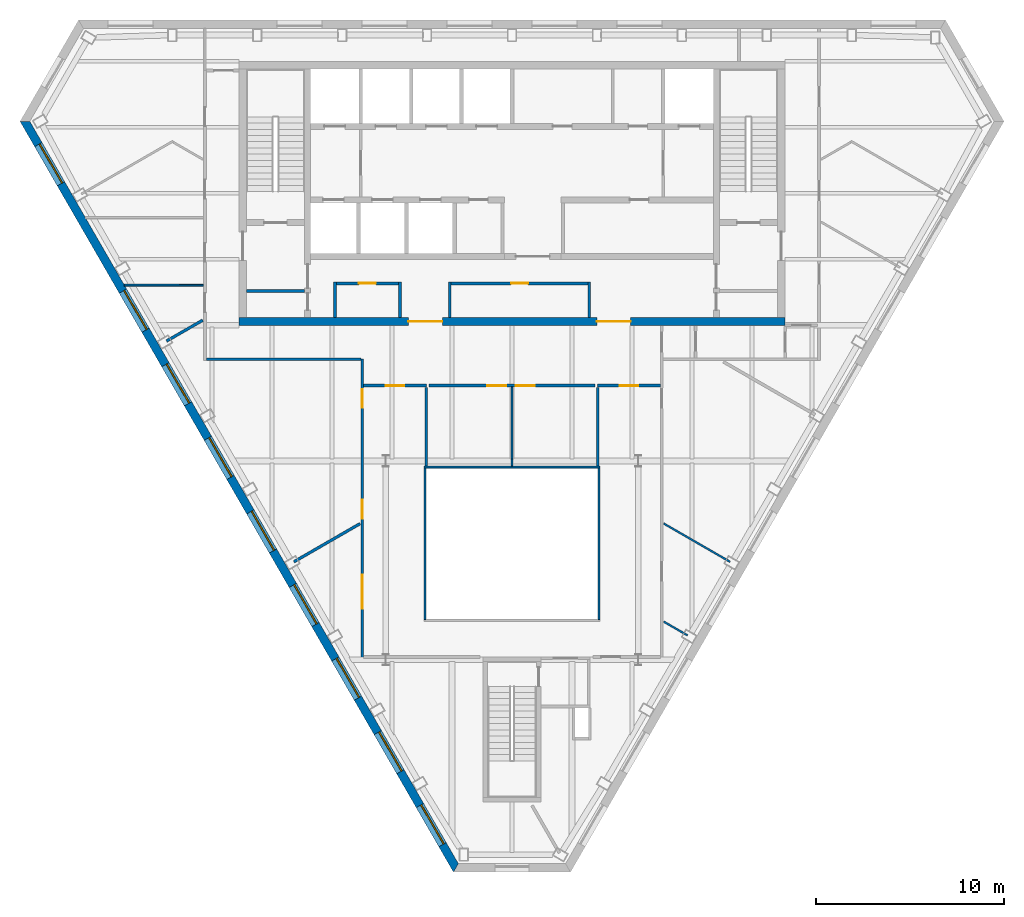
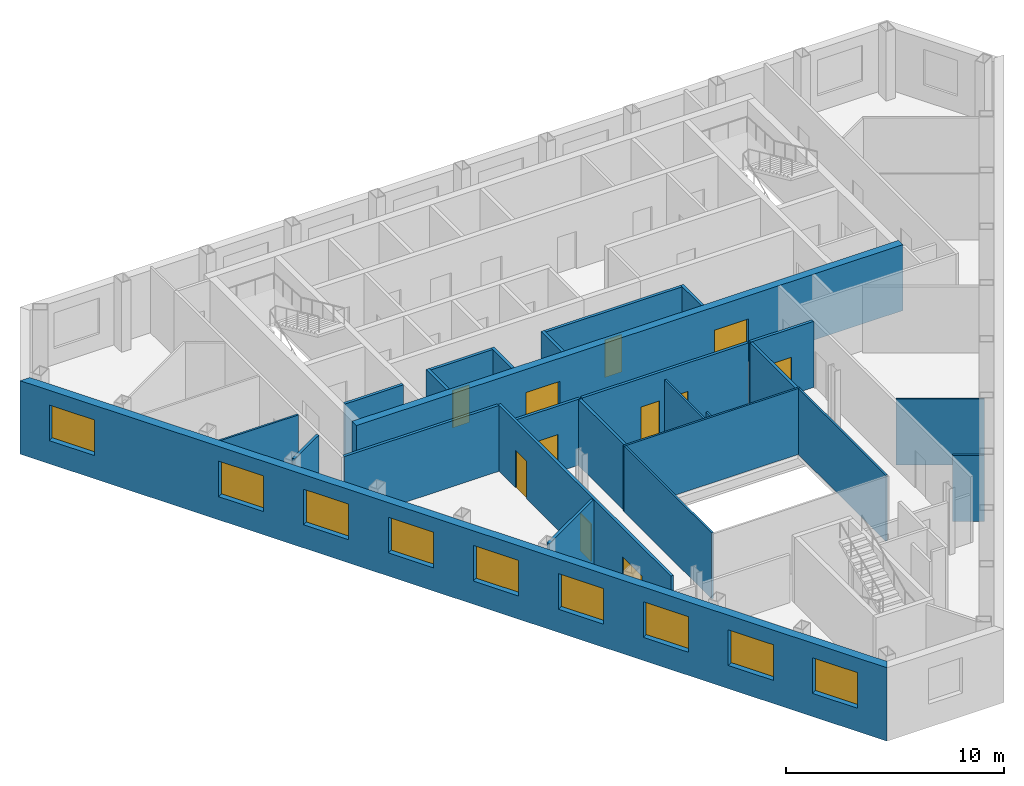
# One storey, part 4 of 10: 26 walls, 11 doors, 9 windows, 20 openings.
"""IFC4 building model written with IfcOpenShell, lengths in metres."""

from ifc_helpers import new_model, si_unit, direction, frame, frame_2d, origin, place, context, subcontext, project, spatial, polyline, rectangle, outline, extrude, material, layer, layer_set, type_object, element, fill, save


model = new_model("IFC4")

# Units and contexts
model_context = context("Model", 3, precision=1e-05, world=origin(), true_north=direction((0.0, 1.0)))
body_context = subcontext(model_context, "Body", "Model", "MODEL_VIEW")
ifc_project = project(units=[si_unit("LENGTHUNIT", "METRE"), si_unit("AREAUNIT", "SQUARE_METRE"), si_unit("VOLUMEUNIT", "CUBIC_METRE"), si_unit("PLANEANGLEUNIT", "RADIAN"), si_unit("MASSUNIT", "GRAM", prefix="KILO")], contexts=[model_context])

# Site, building, storey
site_placement = place(None, origin())
site = spatial("IfcSite", under=ifc_project, at=site_placement, CompositionType="ELEMENT")
building_placement = place(site_placement, origin())
building = spatial("IfcBuilding", under=site, at=building_placement, Name="Njiva Tower", CompositionType="ELEMENT")
storey_placement = place(building_placement, frame((0.0, 0.0, 253.2)))
storey = spatial("IfcBuildingStorey", under=building, at=storey_placement, Name="L57", CompositionType="ELEMENT", Elevation=253.2)

# Walls
ifc_material_1 = material(Name="Blockwork", Category="masonry")
ifc_layer_1 = layer(ifc_material_1, 0.15)
ifc_layer_set_1 = layer_set([ifc_layer_1], Name="Blockwork")
wall_type_1 = type_object("IfcWallType", Name="WT1 Compartment partition 150", PredefinedType="PARTITIONING", material=ifc_layer_set_1)
wall_1_placement = place(storey_placement, frame((-14.1, 5.825, 0.0), z_axis=(0.0, 0.0, 1.0), x_axis=(1.0, 0.0, 0.0)))
element("IfcWall", 1, at=wall_1_placement, inside=storey, type_object=wall_type_1, Name="Room wall A", PredefinedType="PARTITIONING", context=body_context, shape_type="SweptSolid", body=[
    extrude(rectangle(XDim=3.1, YDim=0.15, at=frame_2d((1.55, 0.0))), origin(), (0.0, 0.0, 1.0), 3.7),
])
for number, where, z_axis, x_axis, name in (
    (2, (-9.4, 4.4, 0.0), (0.0, 0.0, 1.0), (0.0, 1.0, 0.0), "First aid room wall west"),
    (3, (-5.95, 4.4, 0.0), (0.0, 0.0, 1.0), (0.0, 1.0, 0.0), "First aid room wall east"),
):
    element("IfcWall", number, at=place(storey_placement, frame(where, z_axis=z_axis, x_axis=x_axis)), inside=storey, type_object=wall_type_1, Name=name, PredefinedType="PARTITIONING", context=body_context, shape_type="SweptSolid", body=[
        extrude(rectangle(XDim=1.895, YDim=0.15, at=frame_2d((0.9475, 0.0))), origin(), (0.0, 0.0, 1.0), 3.7),
    ])

# Wall, opening, door
wall_2_placement = place(storey_placement, frame((-9.325, 6.22, 0.0), z_axis=(0.0, 0.0, 1.0), x_axis=(1.0, 0.0, 0.0)))
wall_2 = element("IfcWall", 4, at=wall_2_placement, inside=storey, type_object=wall_type_1, Name="First aid room wall north", PredefinedType="PARTITIONING", context=body_context, shape_type="SweptSolid", body=[
    extrude(rectangle(XDim=3.3, YDim=0.15, at=frame_2d((1.65, 0.0))), origin(), (0.0, 0.0, 1.0), 3.7),
])
opening_1_placement = place(wall_2_placement, frame((1.2, 0.0, 0.0)))
opening_1 = element("IfcOpeningElement", 5, at=opening_1_placement, cuts=wall_2, Name="Opening S18-D923", PredefinedType="OPENING", context=body_context, shape_type="SweptSolid", body=[
    extrude(rectangle(XDim=0.9, YDim=2.1, at=frame_2d((0.45, 1.05))), frame((0.0, 0.085, 0.0), z_axis=(0.0, -1.0, 0.0), x_axis=(1.0, 0.0, 0.0)), (0.0, 0.0, 1.0), 0.17),
])
ifc_material_2 = material(Name="Steel fire door, painted", Category="steel")
door_type_1 = type_object("IfcDoorType", Name="D6 Fire-rated door 900x2100", OperationType="SINGLE_SWING_LEFT", PredefinedType="DOOR", material=ifc_material_2)
door_1_placement = place(opening_1_placement, origin())
door_1 = element("IfcDoor", 6, at=door_1_placement, inside=storey, type_object=door_type_1, Name="First aid room door", OperationType="SINGLE_SWING_RIGHT", OverallHeight=2.1, OverallWidth=0.9, PredefinedType="DOOR", context=body_context, shape_type="SweptSolid", body=[
    extrude(rectangle(XDim=0.9, YDim=2.1, at=frame_2d((0.45, 1.05))), frame((0.0, 0.025, 0.0), z_axis=(0.0, -1.0, 0.0), x_axis=(1.0, 0.0, 0.0)), (0.0, 0.0, 1.0), 0.05),
])
fill(opening_1, door_1)

# Walls
for number, where, z_axis, x_axis, name in (
    (7, (-3.3, 4.4, 0.0), (0.0, 0.0, 1.0), (0.0, 1.0, 0.0), "Parcel room wall west"),
    (8, (4.1, 4.4, 0.0), (0.0, 0.0, 1.0), (0.0, 1.0, 0.0), "Parcel room wall east"),
):
    element("IfcWall", number, at=place(storey_placement, frame(where, z_axis=z_axis, x_axis=x_axis)), inside=storey, type_object=wall_type_1, Name=name, PredefinedType="PARTITIONING", context=body_context, shape_type="SweptSolid", body=[
        extrude(rectangle(XDim=1.895, YDim=0.15, at=frame_2d((0.9475, 0.0))), origin(), (0.0, 0.0, 1.0), 3.7),
    ])

# Wall, opening, door
wall_3_placement = place(storey_placement, frame((-3.225, 6.22, 0.0), z_axis=(0.0, 0.0, 1.0), x_axis=(1.0, 0.0, 0.0)))
wall_3 = element("IfcWall", 9, at=wall_3_placement, inside=storey, type_object=wall_type_1, Name="Parcel room wall north", PredefinedType="PARTITIONING", context=body_context, shape_type="SweptSolid", body=[
    extrude(rectangle(XDim=7.25, YDim=0.15, at=frame_2d((3.625, 0.0))), origin(), (0.0, 0.0, 1.0), 3.7),
])
opening_2_placement = place(wall_3_placement, frame((3.175, 0.0, 0.0)))
opening_2 = element("IfcOpeningElement", 10, at=opening_2_placement, cuts=wall_3, Name="Opening S18-D924", PredefinedType="OPENING", context=body_context, shape_type="SweptSolid", body=[
    extrude(rectangle(XDim=0.9, YDim=2.1, at=frame_2d((0.45, 1.05))), frame((0.0, 0.085, 0.0), z_axis=(0.0, -1.0, 0.0), x_axis=(1.0, 0.0, 0.0)), (0.0, 0.0, 1.0), 0.17),
])
door_2_placement = place(opening_2_placement, origin())
door_2 = element("IfcDoor", 11, at=door_2_placement, inside=storey, type_object=door_type_1, Name="Parcel room door", OperationType="SINGLE_SWING_LEFT", OverallHeight=2.1, OverallWidth=0.9, PredefinedType="DOOR", context=body_context, shape_type="SweptSolid", body=[
    extrude(rectangle(XDim=0.9, YDim=2.1, at=frame_2d((0.45, 1.05))), frame((0.0, 0.025, 0.0), z_axis=(0.0, -1.0, 0.0), x_axis=(1.0, 0.0, 0.0)), (0.0, 0.0, 1.0), 0.05),
])
fill(opening_2, door_2)

# Wall, openings, doors
ifc_material_3 = material(Name="Concrete C60/75", Category="concrete")
ifc_layer_2 = layer(ifc_material_3, 0.4)
ifc_layer_set_2 = layer_set([ifc_layer_2], Name="Concrete C60/75")
wall_type_2 = type_object("IfcWallType", Name="WT11 Core wall 400", PredefinedType="SHEAR", material=ifc_layer_set_2)
wall_4_placement = place(storey_placement, frame((-14.5, 4.2, 0.0), z_axis=(0.0, 0.0, 1.0), x_axis=(1.0, 0.0, 0.0)))
wall_4 = element("IfcWall", 12, at=wall_4_placement, inside=storey, type_object=wall_type_2, Name="Core wall south", PredefinedType="SHEAR", context=body_context, shape_type="SweptSolid", body=[
    extrude(rectangle(XDim=29.0, YDim=0.4, at=frame_2d((14.5, 0.0))), origin(), (0.0, 0.0, 1.0), 3.7),
])
opening_3_placement = place(wall_4_placement, frame((9.0, 0.0, 0.0)))
opening_3 = element("IfcOpeningElement", 13, at=opening_3_placement, cuts=wall_4, Name="Opening S18-D926", PredefinedType="OPENING", context=body_context, shape_type="SweptSolid", body=[
    extrude(rectangle(XDim=1.8, YDim=2.4, at=frame_2d((0.9, 1.2))), frame((0.0, 0.21, 0.0), z_axis=(0.0, -1.0, 0.0), x_axis=(1.0, 0.0, 0.0)), (0.0, 0.0, 1.0), 0.42),
])
opening_4_placement = place(wall_4_placement, frame((19.0, 0.0, 0.0)))
opening_4 = element("IfcOpeningElement", 14, at=opening_4_placement, cuts=wall_4, Name="Opening S18-D927", PredefinedType="OPENING", context=body_context, shape_type="SweptSolid", body=[
    extrude(rectangle(XDim=1.8, YDim=2.4, at=frame_2d((0.9, 1.2))), frame((0.0, 0.21, 0.0), z_axis=(0.0, -1.0, 0.0), x_axis=(1.0, 0.0, 0.0)), (0.0, 0.0, 1.0), 0.42),
])
ifc_material_4 = material(Name="Steel and glass door", Category="steel")
door_type_2 = type_object("IfcDoorType", Name="D3 Core entrance door 1800x2400", OperationType="DOUBLE_DOOR_SINGLE_SWING", PredefinedType="DOOR", material=ifc_material_4)
door_3_placement = place(opening_3_placement, origin())
door_3 = element("IfcDoor", 15, at=door_3_placement, inside=storey, type_object=door_type_2, Name="Core entrance door", OperationType="DOUBLE_DOOR_SINGLE_SWING", OverallHeight=2.4, OverallWidth=1.8, PredefinedType="DOOR", context=body_context, shape_type="SweptSolid", body=[
    extrude(rectangle(XDim=1.8, YDim=2.4, at=frame_2d((0.9, 1.2))), frame((0.0, 0.025, 0.0), z_axis=(0.0, -1.0, 0.0), x_axis=(1.0, 0.0, 0.0)), (0.0, 0.0, 1.0), 0.05),
])
fill(opening_3, door_3)
door_4_placement = place(opening_4_placement, origin())
door_4 = element("IfcDoor", 16, at=door_4_placement, inside=storey, type_object=door_type_2, Name="Core entrance door", OperationType="DOUBLE_DOOR_SINGLE_SWING", OverallHeight=2.4, OverallWidth=1.8, PredefinedType="DOOR", context=body_context, shape_type="SweptSolid", body=[
    extrude(rectangle(XDim=1.8, YDim=2.4, at=frame_2d((0.9, 1.2))), frame((0.0, 0.025, 0.0), z_axis=(0.0, -1.0, 0.0), x_axis=(1.0, 0.0, 0.0)), (0.0, 0.0, 1.0), 0.05),
])
fill(opening_4, door_4)

# Walls
ifc_material_5 = material(Name="Gypsum board on steel studs", Category="gypsum")
ifc_layer_3 = layer(ifc_material_5, 0.1)
ifc_layer_set_3 = layer_set([ifc_layer_3], Name="Gypsum board on steel studs")
wall_type_3 = type_object("IfcWallType", Name="WT20 Gypsum partition 100", PredefinedType="PARTITIONING", material=ifc_layer_set_3)
wall_5_placement = place(storey_placement, frame((-20.572, 6.132, 0.0), z_axis=(0.0, 0.0, 1.0), x_axis=(0.999998183352, -0.001906119959, 0.0)))
element("IfcWall", 17, at=wall_5_placement, inside=storey, type_object=wall_type_3, Name="Partition S18-P003", PredefinedType="PARTITIONING", context=body_context, shape_type="SweptSolid", body=[
    extrude(rectangle(XDim=4.197, YDim=0.1, at=frame_2d((2.0985, 0.0))), origin(), (0.0, 0.0, 1.0), 3.7),
])
wall_6_placement = place(storey_placement, frame((-0.001, 0.725, 0.0), z_axis=(0.0, 0.0, 1.0), x_axis=(0.000235294111, -0.999999972318, 0.0)))
element("IfcWall", 18, at=wall_6_placement, inside=storey, type_object=wall_type_3, Name="Partition S18-P016", PredefinedType="PARTITIONING", context=body_context, shape_type="SweptSolid", body=[
    extrude(rectangle(XDim=3.825, YDim=0.1, at=frame_2d((1.9125, 0.0))), origin(), (0.0, 0.0, 1.0), 3.2),
])
wall_7_placement = place(storey_placement, frame((-0.0001, -3.1, 0.0), z_axis=(0.0, 0.0, 1.0), x_axis=(0.000263157886, -0.999999965374, 0.0)))
element("IfcWall", 19, at=wall_7_placement, inside=storey, type_object=wall_type_3, Name="Partition S18-P016A", PredefinedType="PARTITIONING", context=body_context, shape_type="SweptSolid", body=[
    extrude(rectangle(XDim=0.38, YDim=0.1, at=frame_2d((0.19, 0.0))), origin(), (0.0, 0.0, 1.0), 3.7),
])
wall_8_placement = place(storey_placement, frame((8.05, -6.52, 0.0), z_axis=(0.0, 0.0, 1.0), x_axis=(0.865980959039, -0.500076972657, 0.0)))
element("IfcWall", 20, at=wall_8_placement, inside=storey, type_object=wall_type_3, Name="Partition S18-P023", PredefinedType="PARTITIONING", context=body_context, shape_type="SweptSolid", body=[
    extrude(rectangle(XDim=4.0694, YDim=0.1, at=frame_2d((2.0347, 0.0))), origin(), (0.0, 0.0, 1.0), 3.7),
])
wall_9_placement = place(storey_placement, frame((8.05, -11.727, 0.0), z_axis=(0.0, 0.0, 1.0), x_axis=(0.865924183809, -0.500175277173, 0.0)))
element("IfcWall", 21, at=wall_9_placement, inside=storey, type_object=wall_type_3, Name="Partition S18-P024", PredefinedType="PARTITIONING", context=body_context, shape_type="SweptSolid", body=[
    extrude(rectangle(XDim=1.4655, YDim=0.1, at=frame_2d((0.7328, 0.0))), origin(), (0.0, 0.0, 1.0), 3.7),
])
ifc_layer_4 = layer(ifc_material_5, 0.15)
ifc_layer_set_4 = layer_set([ifc_layer_4], Name="Gypsum board on steel studs")
wall_type_4 = type_object("IfcWallType", Name="WT21 Compartment wall 150", PredefinedType="PARTITIONING", material=ifc_layer_set_4)
wall_10_placement = place(storey_placement, frame((-18.337, 3.159, 0.0), z_axis=(0.0, 0.0, 1.0), x_axis=(0.866297945504, 0.499527646498, 0.0)))
element("IfcWall", 22, at=wall_10_placement, inside=storey, type_object=wall_type_4, Name="Partition S18-P004", PredefinedType="PARTITIONING", context=body_context, shape_type="SweptSolid", body=[
    extrude(rectangle(XDim=2.2221, YDim=0.15, at=frame_2d((1.1111, 0.0))), origin(), (0.0, 0.0, 1.0), 3.7),
])
wall_11_placement = place(storey_placement, frame((-16.225, 2.2, 0.0), z_axis=(0.0, 0.0, 1.0), x_axis=(1.0, 0.0, 0.0)))
element("IfcWall", 23, at=wall_11_placement, inside=storey, type_object=wall_type_4, Name="Partition S18-P008", PredefinedType="PARTITIONING", context=body_context, shape_type="SweptSolid", body=[
    extrude(rectangle(XDim=8.2, YDim=0.15, at=frame_2d((4.1, 0.0))), origin(), (0.0, 0.0, 1.0), 3.7),
])
wall_12_placement = place(storey_placement, frame((-11.574, -8.554, 0.0), z_axis=(0.0, 0.0, 1.0), x_axis=(0.866202010042, 0.499693984153, 0.0)))
element("IfcWall", 24, at=wall_12_placement, inside=storey, type_object=wall_type_4, Name="Partition S18-P010", PredefinedType="PARTITIONING", context=body_context, shape_type="SweptSolid", body=[
    extrude(rectangle(XDim=4.0545, YDim=0.15, at=frame_2d((2.0272, 0.0))), origin(), (0.0, 0.0, 1.0), 3.7),
])

# Wall, openings, doors
wall_13_placement = place(storey_placement, frame((-7.95, -13.675, 0.0), z_axis=(0.0, 0.0, 1.0), x_axis=(0.0, 1.0, 0.0)))
wall_13 = element("IfcWall", 25, at=wall_13_placement, inside=storey, type_object=wall_type_4, Name="Partition S18-P011", PredefinedType="PARTITIONING", context=body_context, shape_type="SweptSolid", body=[
    extrude(rectangle(XDim=15.887, YDim=0.15, at=frame_2d((7.9435, 0.0))), origin(), (0.0, 0.0, 1.0), 3.7),
])
opening_5_placement = place(wall_13_placement, frame((2.642, 0.0, 0.0)))
opening_5 = element("IfcOpeningElement", 26, at=opening_5_placement, cuts=wall_13, Name="Opening S18-D006", PredefinedType="OPENING", context=body_context, shape_type="SweptSolid", body=[
    extrude(rectangle(XDim=1.8, YDim=2.1, at=frame_2d((0.9, 1.05))), frame((0.0, 0.085, 0.0), z_axis=(0.0, -1.0, 0.0), x_axis=(1.0, 0.0, 0.0)), (0.0, 0.0, 1.0), 0.17),
])
opening_6_placement = place(wall_13_placement, frame((7.411, 0.0, 0.0)))
opening_6 = element("IfcOpeningElement", 27, at=opening_6_placement, cuts=wall_13, Name="Opening S18-D007", PredefinedType="OPENING", context=body_context, shape_type="SweptSolid", body=[
    extrude(rectangle(XDim=1.0, YDim=2.1, at=frame_2d((0.5, 1.05))), frame((0.0, 0.085, 0.0), z_axis=(0.0, -1.0, 0.0), x_axis=(1.0, 0.0, 0.0)), (0.0, 0.0, 1.0), 0.17),
])
opening_7_placement = place(wall_13_placement, frame((13.287, 0.0, 0.0)))
opening_7 = element("IfcOpeningElement", 28, at=opening_7_placement, cuts=wall_13, Name="Opening S18-D008", PredefinedType="OPENING", context=body_context, shape_type="SweptSolid", body=[
    extrude(rectangle(XDim=1.0, YDim=2.1, at=frame_2d((0.5, 1.05))), frame((0.0, 0.085, 0.0), z_axis=(0.0, -1.0, 0.0), x_axis=(1.0, 0.0, 0.0)), (0.0, 0.0, 1.0), 0.17),
])
ifc_material_6 = material(Name="Steel fire door set", Category="steel")
door_type_3 = type_object("IfcDoorType", Name="D37 Fire door 1000x2100", OperationType="SINGLE_SWING_LEFT", PredefinedType="DOOR", material=ifc_material_6)
door_5_placement = place(opening_6_placement, origin())
door_5 = element("IfcDoor", 29, at=door_5_placement, inside=storey, type_object=door_type_3, Name="Door S18-D007", OperationType="SINGLE_SWING_RIGHT", OverallHeight=2.1, OverallWidth=1.0, PredefinedType="DOOR", context=body_context, shape_type="SweptSolid", body=[
    extrude(rectangle(XDim=1.0, YDim=2.1, at=frame_2d((0.5, 1.05))), frame((0.0, 0.025, 0.0), z_axis=(0.0, -1.0, 0.0), x_axis=(1.0, 0.0, 0.0)), (0.0, 0.0, 1.0), 0.05),
])
fill(opening_6, door_5)
door_6_placement = place(opening_7_placement, origin())
door_6 = element("IfcDoor", 30, at=door_6_placement, inside=storey, type_object=door_type_3, Name="Door S18-D008", OperationType="SINGLE_SWING_LEFT", OverallHeight=2.1, OverallWidth=1.0, PredefinedType="DOOR", context=body_context, shape_type="SweptSolid", body=[
    extrude(rectangle(XDim=1.0, YDim=2.1, at=frame_2d((0.5, 1.05))), frame((0.0, 0.025, 0.0), z_axis=(0.0, -1.0, 0.0), x_axis=(1.0, 0.0, 0.0)), (0.0, 0.0, 1.0), 0.05),
])
fill(opening_7, door_6)
door_type_4 = type_object("IfcDoorType", Name="D38 Fire door 1800x2100", OperationType="DOUBLE_DOOR_SINGLE_SWING", PredefinedType="DOOR", material=ifc_material_6)
door_7_placement = place(opening_5_placement, origin())
door_7 = element("IfcDoor", 31, at=door_7_placement, inside=storey, type_object=door_type_4, Name="Door S18-D006", OperationType="DOUBLE_DOOR_SINGLE_SWING", OverallHeight=2.1, OverallWidth=1.8, PredefinedType="DOOR", context=body_context, shape_type="SweptSolid", body=[
    extrude(rectangle(XDim=1.8, YDim=2.1, at=frame_2d((0.9, 1.05))), frame((0.0, 0.025, 0.0), z_axis=(0.0, -1.0, 0.0), x_axis=(1.0, 0.0, 0.0)), (0.0, 0.0, 1.0), 0.05),
])
fill(opening_5, door_7)

# Wall, opening, door
wall_14_placement = place(storey_placement, frame((-7.875, 0.8, 0.0), z_axis=(0.0, 0.0, 1.0), x_axis=(1.0, 0.0, 0.0)))
wall_14 = element("IfcWall", 32, at=wall_14_placement, inside=storey, type_object=wall_type_4, Name="Partition S18-P013", PredefinedType="PARTITIONING", context=body_context, shape_type="SweptSolid", body=[
    extrude(rectangle(XDim=3.337, YDim=0.15, at=frame_2d((1.6685, 0.0))), origin(), (0.0, 0.0, 1.0), 3.7),
])
opening_8_placement = place(wall_14_placement, frame((1.168, 0.0, 0.0)))
opening_8 = element("IfcOpeningElement", 33, at=opening_8_placement, cuts=wall_14, Name="Opening S18-D009", PredefinedType="OPENING", context=body_context, shape_type="SweptSolid", body=[
    extrude(rectangle(XDim=1.0, YDim=2.1, at=frame_2d((0.5, 1.05))), frame((0.0, 0.085, 0.0), z_axis=(0.0, -1.0, 0.0), x_axis=(1.0, 0.0, 0.0)), (0.0, 0.0, 1.0), 0.17),
])
door_8_placement = place(opening_8_placement, origin())
door_8 = element("IfcDoor", 34, at=door_8_placement, inside=storey, type_object=door_type_3, Name="Door S18-D009", OperationType="SINGLE_SWING_RIGHT", OverallHeight=2.1, OverallWidth=1.0, PredefinedType="DOOR", context=body_context, shape_type="SweptSolid", body=[
    extrude(rectangle(XDim=1.0, YDim=2.1, at=frame_2d((0.5, 1.05))), frame((0.0, 0.025, 0.0), z_axis=(0.0, -1.0, 0.0), x_axis=(1.0, 0.0, 0.0)), (0.0, 0.0, 1.0), 0.05),
])
fill(opening_8, door_8)

# Wall
wall_15_placement = place(storey_placement, frame((-4.55, -3.48, 0.0), z_axis=(0.0, 0.0, 1.0), x_axis=(0.000238834481, 0.999999971479, 0.0)))
element("IfcWall", 35, at=wall_15_placement, inside=storey, type_object=wall_type_4, Name="Partition S18-P014", PredefinedType="PARTITIONING", context=body_context, shape_type="SweptSolid", body=[
    extrude(rectangle(XDim=4.187, YDim=0.15, at=frame_2d((2.0935, 0.0))), origin(), (0.0, 0.0, 1.0), 3.7),
])

# Wall, openings, doors
wall_16_placement = place(storey_placement, frame((-4.41, 0.8, 0.0), z_axis=(0.0, 0.0, 1.0), x_axis=(1.0, 0.0, 0.0)))
wall_16 = element("IfcWall", 36, at=wall_16_placement, inside=storey, type_object=wall_type_4, Name="Partition S18-P015", PredefinedType="PARTITIONING", context=body_context, shape_type="SweptSolid", body=[
    extrude(rectangle(XDim=8.82, YDim=0.15, at=frame_2d((4.41, 0.0))), origin(), (0.0, 0.0, 1.0), 3.7),
])
opening_9_placement = place(wall_16_placement, frame((3.106, 0.0, 0.0)))
opening_9 = element("IfcOpeningElement", 37, at=opening_9_placement, cuts=wall_16, Name="Opening S18-D010", PredefinedType="OPENING", context=body_context, shape_type="SweptSolid", body=[
    extrude(rectangle(XDim=1.0, YDim=2.1, at=frame_2d((0.5, 1.05))), frame((0.0, 0.085, 0.0), z_axis=(0.0, -1.0, 0.0), x_axis=(1.0, 0.0, 0.0)), (0.0, 0.0, 1.0), 0.17),
])
opening_10_placement = place(wall_16_placement, frame((4.611, 0.0, 0.0)))
opening_10 = element("IfcOpeningElement", 38, at=opening_10_placement, cuts=wall_16, Name="Opening S18-D011", PredefinedType="OPENING", context=body_context, shape_type="SweptSolid", body=[
    extrude(rectangle(XDim=1.0, YDim=2.1, at=frame_2d((0.5, 1.05))), frame((0.0, 0.085, 0.0), z_axis=(0.0, -1.0, 0.0), x_axis=(1.0, 0.0, 0.0)), (0.0, 0.0, 1.0), 0.17),
])
door_9_placement = place(opening_9_placement, origin())
door_9 = element("IfcDoor", 39, at=door_9_placement, inside=storey, type_object=door_type_3, Name="Door S18-D010", OperationType="SINGLE_SWING_LEFT", OverallHeight=2.1, OverallWidth=1.0, PredefinedType="DOOR", context=body_context, shape_type="SweptSolid", body=[
    extrude(rectangle(XDim=1.0, YDim=2.1, at=frame_2d((0.5, 1.05))), frame((0.0, 0.025, 0.0), z_axis=(0.0, -1.0, 0.0), x_axis=(1.0, 0.0, 0.0)), (0.0, 0.0, 1.0), 0.05),
])
fill(opening_9, door_9)
door_10_placement = place(opening_10_placement, origin())
door_10 = element("IfcDoor", 40, at=door_10_placement, inside=storey, type_object=door_type_3, Name="Door S18-D011", OperationType="SINGLE_SWING_RIGHT", OverallHeight=2.1, OverallWidth=1.0, PredefinedType="DOOR", context=body_context, shape_type="SweptSolid", body=[
    extrude(rectangle(XDim=1.0, YDim=2.1, at=frame_2d((0.5, 1.05))), frame((0.0, 0.025, 0.0), z_axis=(0.0, -1.0, 0.0), x_axis=(1.0, 0.0, 0.0)), (0.0, 0.0, 1.0), 0.05),
])
fill(opening_10, door_10)

# Wall, opening, door
wall_17_placement = place(storey_placement, frame((4.538, 0.8, 0.0), z_axis=(0.0, 0.0, 1.0), x_axis=(1.0, 0.0, 0.0)))
wall_17 = element("IfcWall", 41, at=wall_17_placement, inside=storey, type_object=wall_type_4, Name="Partition S18-P019", PredefinedType="PARTITIONING", context=body_context, shape_type="SweptSolid", body=[
    extrude(rectangle(XDim=3.337, YDim=0.15, at=frame_2d((1.6685, 0.0))), origin(), (0.0, 0.0, 1.0), 3.7),
])
opening_11_placement = place(wall_17_placement, frame((1.168, 0.0, 0.0)))
opening_11 = element("IfcOpeningElement", 42, at=opening_11_placement, cuts=wall_17, Name="Opening S18-D013", PredefinedType="OPENING", context=body_context, shape_type="SweptSolid", body=[
    extrude(rectangle(XDim=1.0, YDim=2.1, at=frame_2d((0.5, 1.05))), frame((0.0, 0.085, 0.0), z_axis=(0.0, -1.0, 0.0), x_axis=(1.0, 0.0, 0.0)), (0.0, 0.0, 1.0), 0.17),
])
door_11_placement = place(opening_11_placement, origin())
door_11 = element("IfcDoor", 43, at=door_11_placement, inside=storey, type_object=door_type_3, Name="Door S18-D013", OperationType="SINGLE_SWING_RIGHT", OverallHeight=2.1, OverallWidth=1.0, PredefinedType="DOOR", context=body_context, shape_type="SweptSolid", body=[
    extrude(rectangle(XDim=1.0, YDim=2.1, at=frame_2d((0.5, 1.05))), frame((0.0, 0.025, 0.0), z_axis=(0.0, -1.0, 0.0), x_axis=(1.0, 0.0, 0.0)), (0.0, 0.0, 1.0), 0.05),
])
fill(opening_11, door_11)

# Wall
wall_18_placement = place(storey_placement, frame((4.549, -3.48, 0.0), z_axis=(0.0, 0.0, 1.0), x_axis=(0.0, 1.0, 0.0)))
element("IfcWall", 44, at=wall_18_placement, inside=storey, type_object=wall_type_4, Name="Partition S18-P020", PredefinedType="PARTITIONING", context=body_context, shape_type="SweptSolid", body=[
    extrude(rectangle(XDim=4.187, YDim=0.15, at=frame_2d((2.0935, 0.0))), origin(), (0.0, 0.0, 1.0), 3.7),
])

# Wall, openings, windows
ifc_material_7 = material(Name="Brick masonry", Category="masonry")
ifc_layer_5 = layer(ifc_material_7, 0.45)
ifc_layer_set_5 = layer_set([ifc_layer_5], Name="Brick masonry")
wall_type_5 = type_object("IfcWallType", Name="WT90 Brick pier and spandrel wall 450", PredefinedType="SOLIDWALL", material=ifc_layer_set_5)
wall_19_placement = place(storey_placement, frame((-25.8502, 14.822, -0.4), z_axis=(0.0, 0.0, 1.0), x_axis=(0.500000335318, -0.866025210188, 0.0)))
wall_19 = element("IfcWall", 45, at=wall_19_placement, inside=storey, type_object=wall_type_5, Name="Facade wall SW", PredefinedType="SOLIDWALL", context=body_context, shape_type="SweptSolid", body=[
    extrude(outline(polyline([(-0.1299, -0.225), (45.8801, -0.225), (45.6203, 0.225), (0.1299, 0.225), (-0.1299, -0.225)])), origin(), (0.0, 0.0, 1.0), 4.12),
])
opening_12_placement = place(wall_19_placement, frame((1.4247, 0.0, 1.3)))
opening_12 = element("IfcOpeningElement", 46, at=opening_12_placement, cuts=wall_19, Name="Opening S18-W09", PredefinedType="OPENING", context=body_context, shape_type="SweptSolid", body=[
    extrude(rectangle(XDim=2.4, YDim=2.0, at=frame_2d((1.2, 1.0))), frame((0.0, 0.235, 0.0), z_axis=(0.0, -1.0, 0.0), x_axis=(1.0, 0.0, 0.0)), (0.0, 0.0, 1.0), 0.47),
])
opening_13_placement = place(wall_19_placement, frame((10.4035, 0.0, 1.3)))
opening_13 = element("IfcOpeningElement", 47, at=opening_13_placement, cuts=wall_19, Name="Opening S18-W10", PredefinedType="OPENING", context=body_context, shape_type="SweptSolid", body=[
    extrude(rectangle(XDim=2.4, YDim=2.0, at=frame_2d((1.2, 1.0))), frame((0.0, 0.235, 0.0), z_axis=(0.0, -1.0, 0.0), x_axis=(1.0, 0.0, 0.0)), (0.0, 0.0, 1.0), 0.47),
])
opening_14_placement = place(wall_19_placement, frame((14.9122, 0.0, 1.3)))
opening_14 = element("IfcOpeningElement", 48, at=opening_14_placement, cuts=wall_19, Name="Opening S18-W11", PredefinedType="OPENING", context=body_context, shape_type="SweptSolid", body=[
    extrude(rectangle(XDim=2.4, YDim=2.0, at=frame_2d((1.2, 1.0))), frame((0.0, 0.235, 0.0), z_axis=(0.0, -1.0, 0.0), x_axis=(1.0, 0.0, 0.0)), (0.0, 0.0, 1.0), 0.47),
])
opening_15_placement = place(wall_19_placement, frame((19.4208, 0.0, 1.3)))
opening_15 = element("IfcOpeningElement", 49, at=opening_15_placement, cuts=wall_19, Name="Opening S18-W12", PredefinedType="OPENING", context=body_context, shape_type="SweptSolid", body=[
    extrude(rectangle(XDim=2.4, YDim=2.0, at=frame_2d((1.2, 1.0))), frame((0.0, 0.235, 0.0), z_axis=(0.0, -1.0, 0.0), x_axis=(1.0, 0.0, 0.0)), (0.0, 0.0, 1.0), 0.47),
])
opening_16_placement = place(wall_19_placement, frame((23.9294, 0.0, 1.3)))
opening_16 = element("IfcOpeningElement", 50, at=opening_16_placement, cuts=wall_19, Name="Opening S18-W13", PredefinedType="OPENING", context=body_context, shape_type="SweptSolid", body=[
    extrude(rectangle(XDim=2.4, YDim=2.0, at=frame_2d((1.2, 1.0))), frame((0.0, 0.235, 0.0), z_axis=(0.0, -1.0, 0.0), x_axis=(1.0, 0.0, 0.0)), (0.0, 0.0, 1.0), 0.47),
])
opening_17_placement = place(wall_19_placement, frame((28.438, 0.0, 1.3)))
opening_17 = element("IfcOpeningElement", 51, at=opening_17_placement, cuts=wall_19, Name="Opening S18-W14", PredefinedType="OPENING", context=body_context, shape_type="SweptSolid", body=[
    extrude(rectangle(XDim=2.4, YDim=2.0, at=frame_2d((1.2, 1.0))), frame((0.0, 0.235, 0.0), z_axis=(0.0, -1.0, 0.0), x_axis=(1.0, 0.0, 0.0)), (0.0, 0.0, 1.0), 0.47),
])
opening_18_placement = place(wall_19_placement, frame((32.9466, 0.0, 1.3)))
opening_18 = element("IfcOpeningElement", 52, at=opening_18_placement, cuts=wall_19, Name="Opening S18-W15", PredefinedType="OPENING", context=body_context, shape_type="SweptSolid", body=[
    extrude(rectangle(XDim=2.4, YDim=2.0, at=frame_2d((1.2, 1.0))), frame((0.0, 0.235, 0.0), z_axis=(0.0, -1.0, 0.0), x_axis=(1.0, 0.0, 0.0)), (0.0, 0.0, 1.0), 0.47),
])
opening_19_placement = place(wall_19_placement, frame((37.4553, 0.0, 1.3)))
opening_19 = element("IfcOpeningElement", 53, at=opening_19_placement, cuts=wall_19, Name="Opening S18-W16", PredefinedType="OPENING", context=body_context, shape_type="SweptSolid", body=[
    extrude(rectangle(XDim=2.4, YDim=2.0, at=frame_2d((1.2, 1.0))), frame((0.0, 0.235, 0.0), z_axis=(0.0, -1.0, 0.0), x_axis=(1.0, 0.0, 0.0)), (0.0, 0.0, 1.0), 0.47),
])
opening_20_placement = place(wall_19_placement, frame((41.9255, 0.0, 1.3)))
opening_20 = element("IfcOpeningElement", 54, at=opening_20_placement, cuts=wall_19, Name="Opening S18-W17", PredefinedType="OPENING", context=body_context, shape_type="SweptSolid", body=[
    extrude(rectangle(XDim=2.4, YDim=2.0, at=frame_2d((1.2, 1.0))), frame((0.0, 0.235, 0.0), z_axis=(0.0, -1.0, 0.0), x_axis=(1.0, 0.0, 0.0)), (0.0, 0.0, 1.0), 0.47),
])
ifc_material_8 = material(Name="Clear glazing in aluminium frame", Category="aluminium")
window_type = type_object("IfcWindowType", Name="W90 Deep-set window 2400x2000", PartitioningType="SINGLE_PANEL", PredefinedType="WINDOW", material=ifc_material_8)
window_1_placement = place(opening_12_placement, origin())
window_1 = element("IfcWindow", 55, at=window_1_placement, inside=storey, type_object=window_type, Name="Window", OverallHeight=2.0, OverallWidth=2.4, PartitioningType="SINGLE_PANEL", PredefinedType="WINDOW", context=body_context, shape_type="SweptSolid", body=[
    extrude(rectangle(XDim=2.4, YDim=2.0, at=frame_2d((1.2, 1.0))), frame((0.0, 0.105, 0.0), z_axis=(0.0, -1.0, 0.0), x_axis=(1.0, 0.0, 0.0)), (0.0, 0.0, 1.0), 0.06),
])
fill(opening_12, window_1)
window_2_placement = place(opening_13_placement, origin())
window_2 = element("IfcWindow", 56, at=window_2_placement, inside=storey, type_object=window_type, Name="Window", OverallHeight=2.0, OverallWidth=2.4, PartitioningType="SINGLE_PANEL", PredefinedType="WINDOW", context=body_context, shape_type="SweptSolid", body=[
    extrude(rectangle(XDim=2.4, YDim=2.0, at=frame_2d((1.2, 1.0))), frame((0.0, 0.105, 0.0), z_axis=(0.0, -1.0, 0.0), x_axis=(1.0, 0.0, 0.0)), (0.0, 0.0, 1.0), 0.06),
])
fill(opening_13, window_2)
window_3_placement = place(opening_14_placement, origin())
window_3 = element("IfcWindow", 57, at=window_3_placement, inside=storey, type_object=window_type, Name="Window", OverallHeight=2.0, OverallWidth=2.4, PartitioningType="SINGLE_PANEL", PredefinedType="WINDOW", context=body_context, shape_type="SweptSolid", body=[
    extrude(rectangle(XDim=2.4, YDim=2.0, at=frame_2d((1.2, 1.0))), frame((0.0, 0.105, 0.0), z_axis=(0.0, -1.0, 0.0), x_axis=(1.0, 0.0, 0.0)), (0.0, 0.0, 1.0), 0.06),
])
fill(opening_14, window_3)
window_4_placement = place(opening_15_placement, origin())
window_4 = element("IfcWindow", 58, at=window_4_placement, inside=storey, type_object=window_type, Name="Window", OverallHeight=2.0, OverallWidth=2.4, PartitioningType="SINGLE_PANEL", PredefinedType="WINDOW", context=body_context, shape_type="SweptSolid", body=[
    extrude(rectangle(XDim=2.4, YDim=2.0, at=frame_2d((1.2, 1.0))), frame((0.0, 0.105, 0.0), z_axis=(0.0, -1.0, 0.0), x_axis=(1.0, 0.0, 0.0)), (0.0, 0.0, 1.0), 0.06),
])
fill(opening_15, window_4)
window_5_placement = place(opening_16_placement, origin())
window_5 = element("IfcWindow", 59, at=window_5_placement, inside=storey, type_object=window_type, Name="Window", OverallHeight=2.0, OverallWidth=2.4, PartitioningType="SINGLE_PANEL", PredefinedType="WINDOW", context=body_context, shape_type="SweptSolid", body=[
    extrude(rectangle(XDim=2.4, YDim=2.0, at=frame_2d((1.2, 1.0))), frame((0.0, 0.105, 0.0), z_axis=(0.0, -1.0, 0.0), x_axis=(1.0, 0.0, 0.0)), (0.0, 0.0, 1.0), 0.06),
])
fill(opening_16, window_5)
window_6_placement = place(opening_17_placement, origin())
window_6 = element("IfcWindow", 60, at=window_6_placement, inside=storey, type_object=window_type, Name="Window", OverallHeight=2.0, OverallWidth=2.4, PartitioningType="SINGLE_PANEL", PredefinedType="WINDOW", context=body_context, shape_type="SweptSolid", body=[
    extrude(rectangle(XDim=2.4, YDim=2.0, at=frame_2d((1.2, 1.0))), frame((0.0, 0.105, 0.0), z_axis=(0.0, -1.0, 0.0), x_axis=(1.0, 0.0, 0.0)), (0.0, 0.0, 1.0), 0.06),
])
fill(opening_17, window_6)
window_7_placement = place(opening_18_placement, origin())
window_7 = element("IfcWindow", 61, at=window_7_placement, inside=storey, type_object=window_type, Name="Window", OverallHeight=2.0, OverallWidth=2.4, PartitioningType="SINGLE_PANEL", PredefinedType="WINDOW", context=body_context, shape_type="SweptSolid", body=[
    extrude(rectangle(XDim=2.4, YDim=2.0, at=frame_2d((1.2, 1.0))), frame((0.0, 0.105, 0.0), z_axis=(0.0, -1.0, 0.0), x_axis=(1.0, 0.0, 0.0)), (0.0, 0.0, 1.0), 0.06),
])
fill(opening_18, window_7)
window_8_placement = place(opening_19_placement, origin())
window_8 = element("IfcWindow", 62, at=window_8_placement, inside=storey, type_object=window_type, Name="Window", OverallHeight=2.0, OverallWidth=2.4, PartitioningType="SINGLE_PANEL", PredefinedType="WINDOW", context=body_context, shape_type="SweptSolid", body=[
    extrude(rectangle(XDim=2.4, YDim=2.0, at=frame_2d((1.2, 1.0))), frame((0.0, 0.105, 0.0), z_axis=(0.0, -1.0, 0.0), x_axis=(1.0, 0.0, 0.0)), (0.0, 0.0, 1.0), 0.06),
])
fill(opening_19, window_8)
window_9_placement = place(opening_20_placement, origin())
window_9 = element("IfcWindow", 63, at=window_9_placement, inside=storey, type_object=window_type, Name="Window", OverallHeight=2.0, OverallWidth=2.4, PartitioningType="SINGLE_PANEL", PredefinedType="WINDOW", context=body_context, shape_type="SweptSolid", body=[
    extrude(rectangle(XDim=2.4, YDim=2.0, at=frame_2d((1.2, 1.0))), frame((0.0, 0.105, 0.0), z_axis=(0.0, -1.0, 0.0), x_axis=(1.0, 0.0, 0.0)), (0.0, 0.0, 1.0), 0.06),
])
fill(opening_20, window_9)

# Walls
ifc_material_9 = material(Name="Fire-resisting glazing EI 90", Category="glass")
ifc_layer_6 = layer(ifc_material_9, 0.1)
ifc_layer_set_6 = layer_set([ifc_layer_6], Name="Fire-resisting glazing EI 90")
wall_type_6 = type_object("IfcWallType", Name="WT95 Fire-resisting glazed screen EI 90", PredefinedType="PARTITIONING", material=ifc_layer_set_6)
wall_20_placement = place(storey_placement, frame((4.62, -11.62, 0.0), z_axis=(0.0, 0.0, 1.0), x_axis=(0.0, 1.0, 0.0)))
element("IfcWall", 64, at=wall_20_placement, inside=storey, type_object=wall_type_6, Name="Atrium fire screen east", PredefinedType="PARTITIONING", context=body_context, shape_type="SweptSolid", body=[
    extrude(rectangle(XDim=8.04, YDim=0.1, at=frame_2d((4.02, 0.0))), origin(), (0.0, 0.0, 1.0), 3.7),
])
wall_21_placement = place(storey_placement, frame((4.67, -3.53, 0.0), z_axis=(0.0, 0.0, 1.0), x_axis=(-1.0, 0.0, 0.0)))
element("IfcWall", 65, at=wall_21_placement, inside=storey, type_object=wall_type_6, Name="Atrium fire screen north", PredefinedType="PARTITIONING", context=body_context, shape_type="SweptSolid", body=[
    extrude(rectangle(XDim=9.34, YDim=0.1, at=frame_2d((4.67, 0.0))), origin(), (0.0, 0.0, 1.0), 3.7),
])
wall_22_placement = place(storey_placement, frame((-4.62, -3.58, 0.0), z_axis=(0.0, 0.0, 1.0), x_axis=(0.0, -1.0, 0.0)))
element("IfcWall", 66, at=wall_22_placement, inside=storey, type_object=wall_type_6, Name="Atrium fire screen west", PredefinedType="PARTITIONING", context=body_context, shape_type="SweptSolid", body=[
    extrude(rectangle(XDim=8.04, YDim=0.1, at=frame_2d((4.02, 0.0))), origin(), (0.0, 0.0, 1.0), 3.7),
])

save(model, "model.ifc")
